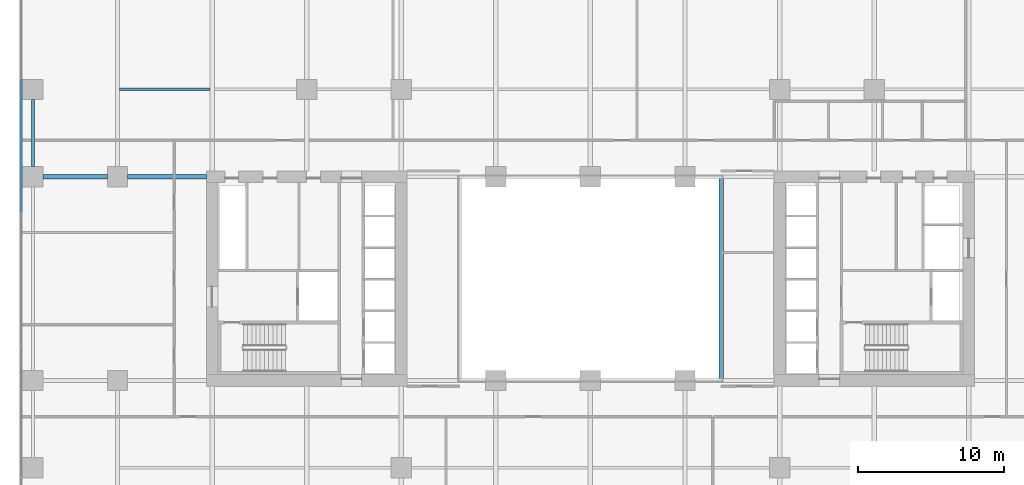
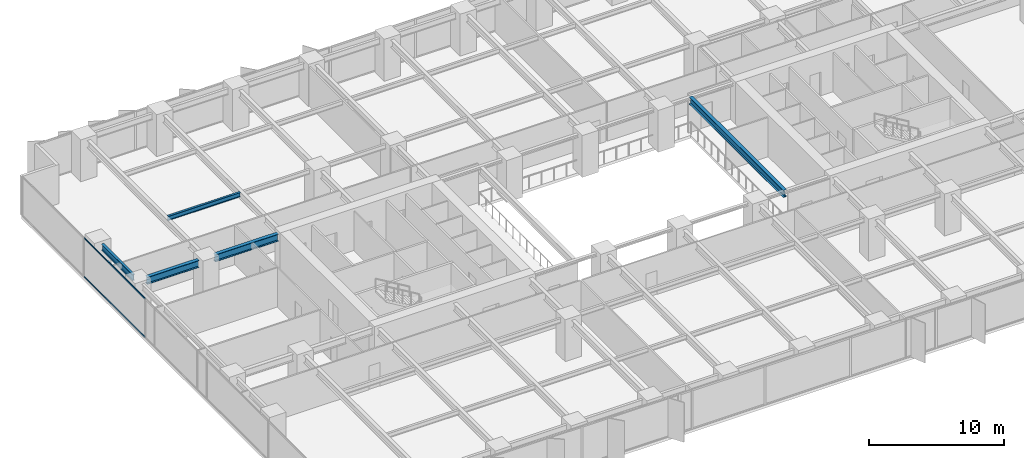
# One storey, part 6 of 20: 5 beams, 2 members, 1 element without a shape of its own.
"""IFC4 building model written with IfcOpenShell, lengths in metres."""

from ifc_helpers import new_model, si_unit, direction, frame, origin, origin_2d, place, context, subcontext, project, spatial, rectangle, i_section, extrude, material, layer, layer_set, material_profile, profile_set, type_object, element, aggregate, save


model = new_model("IFC4")

# Units and contexts
model_context = context("Model", 3, precision=1e-05, world=origin(), true_north=direction((0.0, 1.0)))
body_context = subcontext(model_context, "Body", "Model", "MODEL_VIEW")
ifc_project = project(units=[si_unit("LENGTHUNIT", "METRE"), si_unit("AREAUNIT", "SQUARE_METRE"), si_unit("VOLUMEUNIT", "CUBIC_METRE"), si_unit("PLANEANGLEUNIT", "RADIAN"), si_unit("MASSUNIT", "GRAM", prefix="KILO")], contexts=[model_context])

# Site, building, storey
site_placement = place(None, origin())
site = spatial("IfcSite", under=ifc_project, at=site_placement, CompositionType="ELEMENT")
building_placement = place(site_placement, origin())
building = spatial("IfcBuilding", under=site, at=building_placement, Name="Putna Gate Headquarters", CompositionType="ELEMENT")
storey_placement = place(building_placement, frame((0.0, 0.0, 58.199951171875)))
storey = spatial("IfcBuildingStorey", under=building, at=storey_placement, Name="L13", CompositionType="ELEMENT", Elevation=58.199951171875)

# Beams
ifc_material_1 = material(Name="Steel S355J2", Category="steel")
ifc_material_profile_1 = material_profile(ifc_material_1, i_section(OverallWidth=0.300048828125, OverallDepth=0.64990234375, WebThickness=0.01611328125, FlangeThickness=0.031005859375, at=origin_2d()), Name="Steel S355J2")
ifc_profile_set_1 = profile_set([ifc_material_profile_1], Name="Steel S355J2")
beam_type_1 = type_object("IfcBeamType", Name="BM-GIRD-Z1-HEB650", PredefinedType="USERDEFINED", material=ifc_profile_set_1)
beam_1_placement = place(storey_placement, frame((1.367919921875, 33.0, 3.22509765625), z_axis=(1.0, 0.0, 0.0), x_axis=(0.0, 1.0, 0.0)))
element("IfcBeam", 1, at=beam_1_placement, inside=storey, type_object=beam_type_1, Name="L13 West Wing Girder Y33-1", ObjectType="GIRDER", PredefinedType="USERDEFINED", context=body_context, shape_type="SweptSolid", body=[
    extrude(i_section(OverallWidth=0.300048828125, OverallDepth=0.64990234375, WebThickness=0.01611328125, FlangeThickness=0.031005859375, at=origin_2d()), origin(), (0.0, 0.0, 1.0), 4.444091796875),
])
beam_2_placement = place(storey_placement, frame((7.18798828125, 33.0, 3.22509765625), z_axis=(1.0, 0.0, 0.0), x_axis=(0.0, 1.0, 0.0)))
element("IfcBeam", 2, at=beam_2_placement, inside=storey, type_object=beam_type_1, Name="L13 West Wing Girder Y33-2", ObjectType="GIRDER", PredefinedType="USERDEFINED", context=body_context, shape_type="SweptSolid", body=[
    extrude(i_section(OverallWidth=0.300048828125, OverallDepth=0.64990234375, WebThickness=0.01611328125, FlangeThickness=0.031005859375, at=origin_2d()), origin(), (0.0, 0.0, 1.0), 5.427001953125),
])
beam_3_placement = place(storey_placement, frame((48.0, 19.010009765625, 3.22509765625), z_axis=(0.0, 1.0, 0.0), x_axis=(-1.0, 0.0, 0.0)))
element("IfcBeam", 3, at=beam_3_placement, inside=storey, type_object=beam_type_1, Name="L13 Atrium Trim Girder AE", ObjectType="GIRDER", PredefinedType="USERDEFINED", context=body_context, shape_type="SweptSolid", body=[
    extrude(i_section(OverallWidth=0.300048828125, OverallDepth=0.64990234375, WebThickness=0.01611328125, FlangeThickness=0.031005859375, at=origin_2d()), origin(), (0.0, 0.0, 1.0), 13.97998046875),
])
ifc_material_profile_2 = material_profile(ifc_material_1, i_section(OverallWidth=0.179931640625, OverallDepth=0.39990234375, WebThickness=0.008544921875, FlangeThickness=0.013427734375, at=origin_2d()), Name="Steel S355J2")
ifc_profile_set_2 = profile_set([ifc_material_profile_2], Name="Steel S355J2")
beam_type_2 = type_object("IfcBeamType", Name="BM-SEC-Z1-IPE400", PredefinedType="BEAM", material=ifc_profile_set_2)
beam_4_placement = place(storey_placement, frame((6.654052734375, 39.0, 3.35009765625), z_axis=(1.0, 0.0, 0.0), x_axis=(0.0, 1.0, 0.0)))
element("IfcBeam", 4, at=beam_4_placement, inside=storey, type_object=beam_type_2, Name="L13 North Secondary Beam 1", PredefinedType="BEAM", context=body_context, shape_type="SweptSolid", body=[
    extrude(i_section(OverallWidth=0.179931640625, OverallDepth=0.39990234375, WebThickness=0.008544921875, FlangeThickness=0.013427734375, at=origin_2d()), origin(), (0.0, 0.0, 1.0), 6.19189453125),
])
ifc_material_profile_3 = material_profile(ifc_material_1, i_section(OverallWidth=0.2099609375, OverallDepth=0.550048828125, WebThickness=0.010986328125, FlangeThickness=0.01708984375, at=origin_2d()), Name="Steel S355J2")
ifc_profile_set_3 = profile_set([ifc_material_profile_3], Name="Steel S355J2")
beam_type_3 = type_object("IfcBeamType", Name="BM-SPAN-Z1-IPE550", PredefinedType="SPANDREL", material=ifc_profile_set_3)
beam_5_placement = place(storey_placement, frame((0.679931640625, 33.68798828125, 3.275146484375), z_axis=(0.0, 1.0, 0.0), x_axis=(-1.0, 0.0, 0.0)))
element("IfcBeam", 5, at=beam_5_placement, inside=storey, type_object=beam_type_3, Name="L13 W End Spandrel 3", PredefinedType="SPANDREL", context=body_context, shape_type="SweptSolid", body=[
    extrude(i_section(OverallWidth=0.2099609375, OverallDepth=0.550048828125, WebThickness=0.010986328125, FlangeThickness=0.01708984375, at=origin_2d()), origin(), (0.0, 0.0, 1.0), 4.6240234375),
])

# Curtain wall, members
ifc_material_2 = material(Name="Anodised bronze aluminium curtain wall", Category="aluminium")
ifc_layer = layer(ifc_material_2, 0.179931640625)
ifc_layer_set = layer_set([ifc_layer], Name="Anodised bronze aluminium curtain wall")
curtain_wall_type = type_object("IfcCurtainWallType", Name="CW-SYS-Z1", PredefinedType="USERDEFINED", material=ifc_layer_set)
curtain_wall_placement = place(storey_placement, origin())
curtain_wall = element("IfcCurtainWall", 6, at=curtain_wall_placement, inside=storey, type_object=curtain_wall_type, Name="L13 West Curtain Wall", ObjectType="STICK CURTAIN WALL", PredefinedType="USERDEFINED")
ifc_material_3 = material(Name="Anodised bronze aluminium EN AW-6060", Category="aluminium")
ifc_material_profile_4 = material_profile(ifc_material_3, rectangle(XDim=0.06494140625, YDim=0.1201171875, at=origin_2d()), Name="Anodised bronze aluminium EN AW-6060")
ifc_profile_set_4 = profile_set([ifc_material_profile_4], Name="Anodised bronze aluminium EN AW-6060")
member_type = type_object("IfcMemberType", Name="TRAN-CWT-1", PredefinedType="USERDEFINED", material=ifc_profile_set_4)
member_1_placement = place(storey_placement, frame((-0.1201171875, 30.594970703125, 0.032470703125), z_axis=(0.0, 1.0, 0.0), x_axis=(-1.0, 0.0, 0.0)))
member_1 = element("IfcMember", 7, at=member_1_placement, type_object=member_type, Name="CWS-1 transom 4.1", ObjectType="TRANSOM", PredefinedType="USERDEFINED", context=body_context, shape_type="SweptSolid", body=[
    extrude(rectangle(XDim=0.06494140625, YDim=0.1201171875, at=origin_2d()), origin(), (0.0, 0.0, 1.0), 9.050048828125),
])
member_2_placement = place(storey_placement, frame((-0.1201171875, 30.594970703125, 3.517578125), z_axis=(0.0, 1.0, 0.0), x_axis=(-1.0, 0.0, 0.0)))
member_2 = element("IfcMember", 8, at=member_2_placement, type_object=member_type, Name="CWS-1 transom 4.2", ObjectType="TRANSOM", PredefinedType="USERDEFINED", context=body_context, shape_type="SweptSolid", body=[
    extrude(rectangle(XDim=0.06494140625, YDim=0.1201171875, at=origin_2d()), origin(), (0.0, 0.0, 1.0), 9.050048828125),
])
aggregate(curtain_wall, [member_1, member_2])

save(model, "model.ifc")
